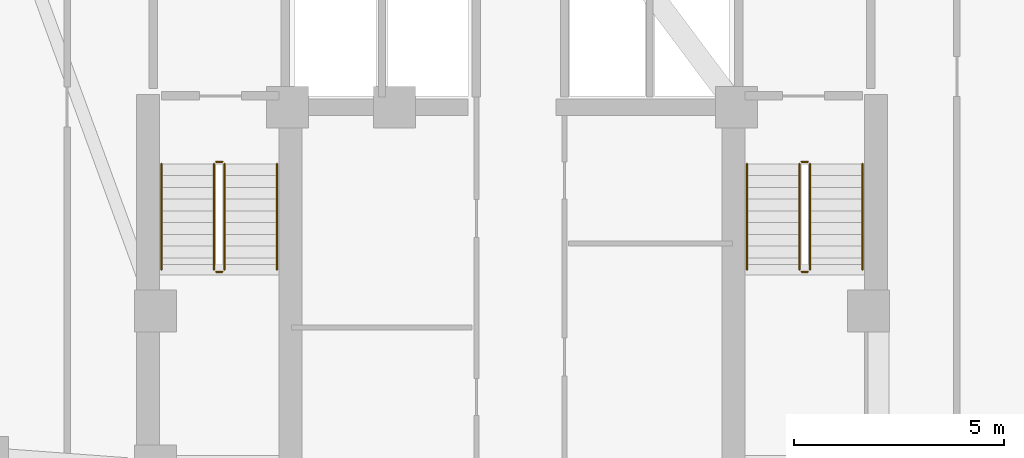
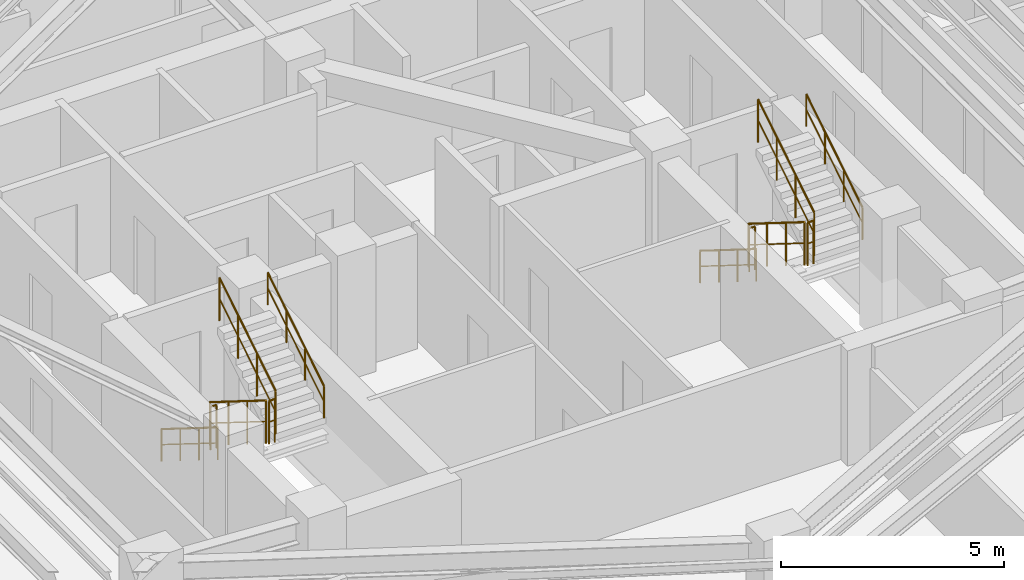
# One storey, part 9 of 9: 12 railings.
"""IFC4 building model written with IfcOpenShell, lengths in metres."""

from ifc_helpers import new_model, si_unit, direction, frame, origin, origin_2d, place, context, subcontext, project, spatial, circle, extrude, material, type_object, element, save


model = new_model("IFC4")

# Units and contexts
model_context = context("Model", 3, precision=1e-05, world=origin(), true_north=direction((0.0, 1.0)))
body_context = subcontext(model_context, "Body", "Model", "MODEL_VIEW")
ifc_project = project(units=[si_unit("LENGTHUNIT", "METRE"), si_unit("AREAUNIT", "SQUARE_METRE"), si_unit("VOLUMEUNIT", "CUBIC_METRE"), si_unit("PLANEANGLEUNIT", "RADIAN"), si_unit("MASSUNIT", "GRAM", prefix="KILO")], contexts=[model_context])

# Site, building, storey
site_placement = place(None, origin())
site = spatial("IfcSite", under=ifc_project, at=site_placement, CompositionType="ELEMENT")
building_placement = place(site_placement, origin())
building = spatial("IfcBuilding", under=site, at=building_placement, Name="Miruveldt Soraemaru", CompositionType="ELEMENT")
storey_placement = place(building_placement, frame((0.0, 0.0, 180.89990234375)))
storey = spatial("IfcBuildingStorey", under=building, at=storey_placement, Name="L50", CompositionType="ELEMENT", Elevation=180.89990234375)

# Railings
ifc_material = material(Name="Steel S355 (355 MPa)", Category="steel")
railing_type_1 = type_object("IfcRailingType", Name="RAIL-HR-900", PredefinedType="HANDRAIL", material=ifc_material)
railing_1_placement = place(storey_placement, frame((35.64990234375, 42.699951171875, 0.175048828125)))
element("IfcRailing", 1, at=railing_1_placement, inside=storey, type_object=railing_type_1, Name="L50 ST-1 stair handrail 1", PredefinedType="HANDRAIL", context=body_context, shape_type="SweptSolid", body=[
    extrude(circle(Radius=0.02392578125, at=origin_2d()), frame((0.0, 0.0, 0.8759765625), z_axis=(0.0, -0.848007534815, 0.529984170421), x_axis=(1.0, 0.0, 0.0)), (0.0, 0.0, 1.0), 2.9716796875),
    extrude(circle(Radius=0.01611328125, at=origin_2d()), frame((0.0, 0.0, 0.449951171875), z_axis=(0.0, -0.848007534815, 0.529984170421), x_axis=(1.0, 0.0, 0.0)), (0.0, 0.0, 1.0), 2.9716796875),
    extrude(circle(Radius=0.02099609375, at=origin_2d()), origin(), (0.0, 0.0, 1.0), 0.851806640625),
    extrude(circle(Radius=0.02099609375, at=origin_2d()), frame((0.0, -0.840087890625, 0.52490234375)), (0.0, 0.0, 1.0), 0.851806640625),
    extrude(circle(Radius=0.02099609375, at=origin_2d()), frame((0.0, -1.679931640625, 1.050048828125)), (0.0, 0.0, 1.0), 0.851806640625),
    extrude(circle(Radius=0.02099609375, at=origin_2d()), frame((0.0, -2.52001953125, 1.574951171875)), (0.0, 0.0, 1.0), 0.851806640625),
])
railing_2_placement = place(storey_placement, frame((38.39990234375, 40.179931640625, 1.925048828125)))
element("IfcRailing", 2, at=railing_2_placement, inside=storey, type_object=railing_type_1, Name="L50 ST-1 stair handrail 2", PredefinedType="HANDRAIL", context=body_context, shape_type="SweptSolid", body=[
    extrude(circle(Radius=0.02392578125, at=origin_2d()), frame((0.0, 0.0, 0.8759765625), z_axis=(0.0, 0.848007534815, 0.529984170421), x_axis=(-1.0, 0.0, 0.0)), (0.0, 0.0, 1.0), 2.9716796875),
    extrude(circle(Radius=0.01611328125, at=origin_2d()), frame((0.0, 0.0, 0.449951171875), z_axis=(0.0, 0.848007534815, 0.529984170421), x_axis=(-1.0, 0.0, 0.0)), (0.0, 0.0, 1.0), 2.9716796875),
    extrude(circle(Radius=0.02099609375, at=origin_2d()), origin(), (0.0, 0.0, 1.0), 0.851806640625),
    extrude(circle(Radius=0.02099609375, at=origin_2d()), frame((0.0, 0.840087890625, 0.52490234375)), (0.0, 0.0, 1.0), 0.851806640625),
    extrude(circle(Radius=0.02099609375, at=origin_2d()), frame((0.0, 1.679931640625, 1.050048828125)), (0.0, 0.0, 1.0), 0.851806640625),
    extrude(circle(Radius=0.02099609375, at=origin_2d()), frame((0.0, 2.52001953125, 1.574951171875)), (0.0, 0.0, 1.0), 0.851806640625),
])
railing_3_placement = place(storey_placement, frame((49.60009765625, 42.699951171875, 0.175048828125)))
element("IfcRailing", 3, at=railing_3_placement, inside=storey, type_object=railing_type_1, Name="L50 ST-2 stair handrail 1", PredefinedType="HANDRAIL", context=body_context, shape_type="SweptSolid", body=[
    extrude(circle(Radius=0.02392578125, at=origin_2d()), frame((0.0, 0.0, 0.8759765625), z_axis=(0.0, -0.848007534815, 0.529984170421), x_axis=(1.0, 0.0, 0.0)), (0.0, 0.0, 1.0), 2.9716796875),
    extrude(circle(Radius=0.01611328125, at=origin_2d()), frame((0.0, 0.0, 0.449951171875), z_axis=(0.0, -0.848007534815, 0.529984170421), x_axis=(1.0, 0.0, 0.0)), (0.0, 0.0, 1.0), 2.9716796875),
    extrude(circle(Radius=0.02099609375, at=origin_2d()), origin(), (0.0, 0.0, 1.0), 0.851806640625),
    extrude(circle(Radius=0.02099609375, at=origin_2d()), frame((0.0, -0.840087890625, 0.52490234375)), (0.0, 0.0, 1.0), 0.851806640625),
    extrude(circle(Radius=0.02099609375, at=origin_2d()), frame((0.0, -1.679931640625, 1.050048828125)), (0.0, 0.0, 1.0), 0.851806640625),
    extrude(circle(Radius=0.02099609375, at=origin_2d()), frame((0.0, -2.52001953125, 1.574951171875)), (0.0, 0.0, 1.0), 0.851806640625),
])
railing_4_placement = place(storey_placement, frame((52.35009765625, 40.179931640625, 1.925048828125)))
element("IfcRailing", 4, at=railing_4_placement, inside=storey, type_object=railing_type_1, Name="L50 ST-2 stair handrail 2", PredefinedType="HANDRAIL", context=body_context, shape_type="SweptSolid", body=[
    extrude(circle(Radius=0.02392578125, at=origin_2d()), frame((0.0, 0.0, 0.8759765625), z_axis=(0.0, 0.848007534815, 0.529984170421), x_axis=(-1.0, 0.0, 0.0)), (0.0, 0.0, 1.0), 2.9716796875),
    extrude(circle(Radius=0.01611328125, at=origin_2d()), frame((0.0, 0.0, 0.449951171875), z_axis=(0.0, 0.848007534815, 0.529984170421), x_axis=(-1.0, 0.0, 0.0)), (0.0, 0.0, 1.0), 2.9716796875),
    extrude(circle(Radius=0.02099609375, at=origin_2d()), origin(), (0.0, 0.0, 1.0), 0.851806640625),
    extrude(circle(Radius=0.02099609375, at=origin_2d()), frame((0.0, 0.840087890625, 0.52490234375)), (0.0, 0.0, 1.0), 0.851806640625),
    extrude(circle(Radius=0.02099609375, at=origin_2d()), frame((0.0, 1.679931640625, 1.050048828125)), (0.0, 0.0, 1.0), 0.851806640625),
    extrude(circle(Radius=0.02099609375, at=origin_2d()), frame((0.0, 2.52001953125, 1.574951171875)), (0.0, 0.0, 1.0), 0.851806640625),
])
railing_type_2 = type_object("IfcRailingType", Name="RAIL-STGUARD-1200", PredefinedType="GUARDRAIL", material=ifc_material)
railing_5_placement = place(storey_placement, frame((36.89990234375, 42.699951171875, 0.175048828125)))
element("IfcRailing", 5, at=railing_5_placement, inside=storey, type_object=railing_type_2, Name="L50 ST-1 stair guard 1", PredefinedType="GUARDRAIL", context=body_context, shape_type="SweptSolid", body=[
    extrude(circle(Radius=0.02392578125, at=origin_2d()), frame((0.0, 0.0, 1.17578125), z_axis=(0.0, -0.848007534815, 0.529984170421), x_axis=(1.0, 0.0, 0.0)), (0.0, 0.0, 1.0), 2.9716796875),
    extrude(circle(Radius=0.01611328125, at=origin_2d()), frame((0.0, 0.0, 0.60009765625), z_axis=(0.0, -0.848007534815, 0.529984170421), x_axis=(1.0, 0.0, 0.0)), (0.0, 0.0, 1.0), 2.9716796875),
    extrude(circle(Radius=0.02099609375, at=origin_2d()), origin(), (0.0, 0.0, 1.0), 1.15185546875),
    extrude(circle(Radius=0.02099609375, at=origin_2d()), frame((0.0, -0.840087890625, 0.52490234375)), (0.0, 0.0, 1.0), 1.15185546875),
    extrude(circle(Radius=0.02099609375, at=origin_2d()), frame((0.0, -1.679931640625, 1.050048828125)), (0.0, 0.0, 1.0), 1.15185546875),
    extrude(circle(Radius=0.02099609375, at=origin_2d()), frame((0.0, -2.52001953125, 1.574951171875)), (0.0, 0.0, 1.0), 1.15185546875),
])
railing_6_placement = place(storey_placement, frame((36.949951171875, 40.1298828125, 1.75)))
element("IfcRailing", 6, at=railing_6_placement, inside=storey, type_object=railing_type_2, Name="L50 ST-1 stair guard 2", PredefinedType="GUARDRAIL", context=body_context, shape_type="SweptSolid", body=[
    extrude(circle(Radius=0.02392578125, at=origin_2d()), frame((0.0, 0.0, 1.17578125), z_axis=(1.0, 0.0, 0.0), x_axis=(0.0, 1.0, 0.0)), (0.0, 0.0, 1.0), 0.150146484375),
    extrude(circle(Radius=0.01611328125, at=origin_2d()), frame((0.0, 0.0, 0.60009765625), z_axis=(1.0, 0.0, 0.0), x_axis=(0.0, 1.0, 0.0)), (0.0, 0.0, 1.0), 0.150146484375),
    extrude(circle(Radius=0.02099609375, at=origin_2d()), origin(), (0.0, 0.0, 1.0), 1.15185546875),
    extrude(circle(Radius=0.02099609375, at=origin_2d()), frame((0.150146484375, 0.0, 0.0)), (0.0, 0.0, 1.0), 1.15185546875),
])
railing_7_placement = place(storey_placement, frame((37.14990234375, 40.179931640625, 1.925048828125)))
element("IfcRailing", 7, at=railing_7_placement, inside=storey, type_object=railing_type_2, Name="L50 ST-1 stair guard 3", PredefinedType="GUARDRAIL", context=body_context, shape_type="SweptSolid", body=[
    extrude(circle(Radius=0.02392578125, at=origin_2d()), frame((0.0, 0.0, 1.17578125), z_axis=(0.0, 0.848007534815, 0.529984170421), x_axis=(-1.0, 0.0, 0.0)), (0.0, 0.0, 1.0), 2.9716796875),
    extrude(circle(Radius=0.01611328125, at=origin_2d()), frame((0.0, 0.0, 0.60009765625), z_axis=(0.0, 0.848007534815, 0.529984170421), x_axis=(-1.0, 0.0, 0.0)), (0.0, 0.0, 1.0), 2.9716796875),
    extrude(circle(Radius=0.02099609375, at=origin_2d()), origin(), (0.0, 0.0, 1.0), 1.15185546875),
    extrude(circle(Radius=0.02099609375, at=origin_2d()), frame((0.0, 0.840087890625, 0.52490234375)), (0.0, 0.0, 1.0), 1.15185546875),
    extrude(circle(Radius=0.02099609375, at=origin_2d()), frame((0.0, 1.679931640625, 1.050048828125)), (0.0, 0.0, 1.0), 1.15185546875),
    extrude(circle(Radius=0.02099609375, at=origin_2d()), frame((0.0, 2.52001953125, 1.574951171875)), (0.0, 0.0, 1.0), 1.15185546875),
])
railing_8_placement = place(storey_placement, frame((36.949951171875, 42.75, 0.0)))
element("IfcRailing", 8, at=railing_8_placement, inside=storey, type_object=railing_type_2, Name="L50 ST-1 stair guard 4", PredefinedType="GUARDRAIL", context=body_context, shape_type="SweptSolid", body=[
    extrude(circle(Radius=0.02392578125, at=origin_2d()), frame((0.0, 0.0, 1.17578125), z_axis=(1.0, 0.0, 0.0), x_axis=(0.0, 1.0, 0.0)), (0.0, 0.0, 1.0), 0.150146484375),
    extrude(circle(Radius=0.01611328125, at=origin_2d()), frame((0.0, 0.0, 0.60009765625), z_axis=(1.0, 0.0, 0.0), x_axis=(0.0, 1.0, 0.0)), (0.0, 0.0, 1.0), 0.150146484375),
    extrude(circle(Radius=0.02099609375, at=origin_2d()), origin(), (0.0, 0.0, 1.0), 1.15185546875),
    extrude(circle(Radius=0.02099609375, at=origin_2d()), frame((0.150146484375, 0.0, 0.0)), (0.0, 0.0, 1.0), 1.15185546875),
])
railing_9_placement = place(storey_placement, frame((50.85009765625, 42.699951171875, 0.175048828125)))
element("IfcRailing", 9, at=railing_9_placement, inside=storey, type_object=railing_type_2, Name="L50 ST-2 stair guard 1", PredefinedType="GUARDRAIL", context=body_context, shape_type="SweptSolid", body=[
    extrude(circle(Radius=0.02392578125, at=origin_2d()), frame((0.0, 0.0, 1.17578125), z_axis=(0.0, -0.848007534815, 0.529984170421), x_axis=(1.0, 0.0, 0.0)), (0.0, 0.0, 1.0), 2.9716796875),
    extrude(circle(Radius=0.01611328125, at=origin_2d()), frame((0.0, 0.0, 0.60009765625), z_axis=(0.0, -0.848007534815, 0.529984170421), x_axis=(1.0, 0.0, 0.0)), (0.0, 0.0, 1.0), 2.9716796875),
    extrude(circle(Radius=0.02099609375, at=origin_2d()), origin(), (0.0, 0.0, 1.0), 1.15185546875),
    extrude(circle(Radius=0.02099609375, at=origin_2d()), frame((0.0, -0.840087890625, 0.52490234375)), (0.0, 0.0, 1.0), 1.15185546875),
    extrude(circle(Radius=0.02099609375, at=origin_2d()), frame((0.0, -1.679931640625, 1.050048828125)), (0.0, 0.0, 1.0), 1.15185546875),
    extrude(circle(Radius=0.02099609375, at=origin_2d()), frame((0.0, -2.52001953125, 1.574951171875)), (0.0, 0.0, 1.0), 1.15185546875),
])
railing_10_placement = place(storey_placement, frame((50.89990234375, 40.1298828125, 1.75)))
element("IfcRailing", 10, at=railing_10_placement, inside=storey, type_object=railing_type_2, Name="L50 ST-2 stair guard 2", PredefinedType="GUARDRAIL", context=body_context, shape_type="SweptSolid", body=[
    extrude(circle(Radius=0.02392578125, at=origin_2d()), frame((0.0, 0.0, 1.17578125), z_axis=(1.0, 0.0, 0.0), x_axis=(0.0, 1.0, 0.0)), (0.0, 0.0, 1.0), 0.150146484375),
    extrude(circle(Radius=0.01611328125, at=origin_2d()), frame((0.0, 0.0, 0.60009765625), z_axis=(1.0, 0.0, 0.0), x_axis=(0.0, 1.0, 0.0)), (0.0, 0.0, 1.0), 0.150146484375),
    extrude(circle(Radius=0.02099609375, at=origin_2d()), origin(), (0.0, 0.0, 1.0), 1.15185546875),
    extrude(circle(Radius=0.02099609375, at=origin_2d()), frame((0.150146484375, 0.0, 0.0)), (0.0, 0.0, 1.0), 1.15185546875),
])
railing_11_placement = place(storey_placement, frame((51.10009765625, 40.179931640625, 1.925048828125)))
element("IfcRailing", 11, at=railing_11_placement, inside=storey, type_object=railing_type_2, Name="L50 ST-2 stair guard 3", PredefinedType="GUARDRAIL", context=body_context, shape_type="SweptSolid", body=[
    extrude(circle(Radius=0.02392578125, at=origin_2d()), frame((0.0, 0.0, 1.17578125), z_axis=(0.0, 0.848007534815, 0.529984170421), x_axis=(-1.0, 0.0, 0.0)), (0.0, 0.0, 1.0), 2.9716796875),
    extrude(circle(Radius=0.01611328125, at=origin_2d()), frame((0.0, 0.0, 0.60009765625), z_axis=(0.0, 0.848007534815, 0.529984170421), x_axis=(-1.0, 0.0, 0.0)), (0.0, 0.0, 1.0), 2.9716796875),
    extrude(circle(Radius=0.02099609375, at=origin_2d()), origin(), (0.0, 0.0, 1.0), 1.15185546875),
    extrude(circle(Radius=0.02099609375, at=origin_2d()), frame((0.0, 0.840087890625, 0.52490234375)), (0.0, 0.0, 1.0), 1.15185546875),
    extrude(circle(Radius=0.02099609375, at=origin_2d()), frame((0.0, 1.679931640625, 1.050048828125)), (0.0, 0.0, 1.0), 1.15185546875),
    extrude(circle(Radius=0.02099609375, at=origin_2d()), frame((0.0, 2.52001953125, 1.574951171875)), (0.0, 0.0, 1.0), 1.15185546875),
])
railing_12_placement = place(storey_placement, frame((50.89990234375, 42.75, 0.0)))
element("IfcRailing", 12, at=railing_12_placement, inside=storey, type_object=railing_type_2, Name="L50 ST-2 stair guard 4", PredefinedType="GUARDRAIL", context=body_context, shape_type="SweptSolid", body=[
    extrude(circle(Radius=0.02392578125, at=origin_2d()), frame((0.0, 0.0, 1.17578125), z_axis=(1.0, 0.0, 0.0), x_axis=(0.0, 1.0, 0.0)), (0.0, 0.0, 1.0), 0.150146484375),
    extrude(circle(Radius=0.01611328125, at=origin_2d()), frame((0.0, 0.0, 0.60009765625), z_axis=(1.0, 0.0, 0.0), x_axis=(0.0, 1.0, 0.0)), (0.0, 0.0, 1.0), 0.150146484375),
    extrude(circle(Radius=0.02099609375, at=origin_2d()), origin(), (0.0, 0.0, 1.0), 1.15185546875),
    extrude(circle(Radius=0.02099609375, at=origin_2d()), frame((0.150146484375, 0.0, 0.0)), (0.0, 0.0, 1.0), 1.15185546875),
])

save(model, "model.ifc")
